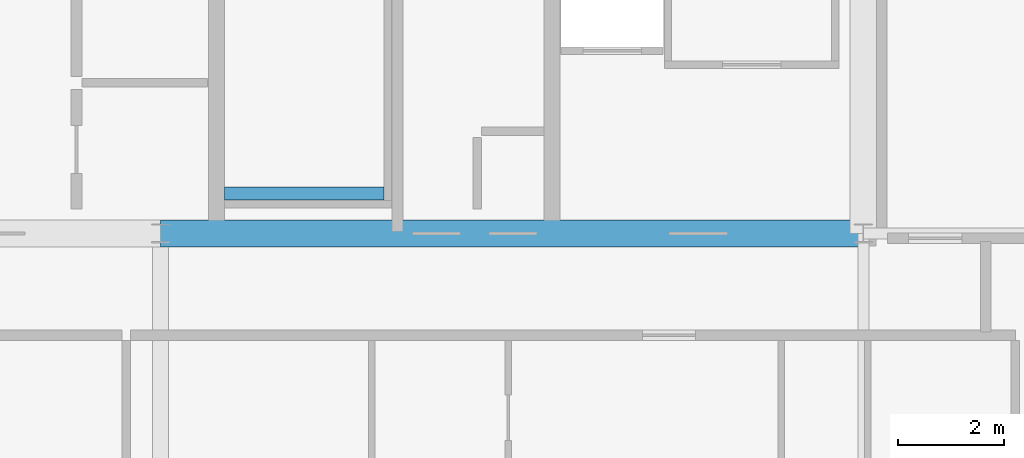
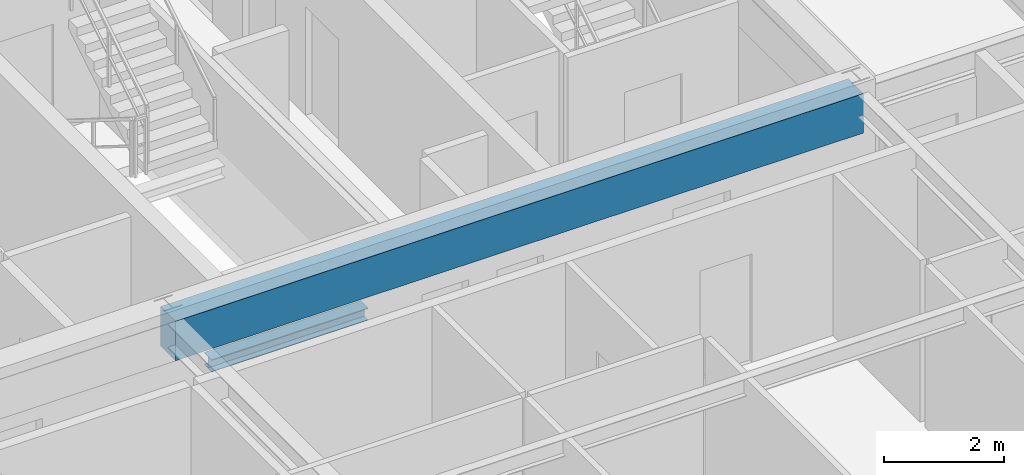
# One storey, part 10 of 35: 2 beams.
"""IFC4 building model written with IfcOpenShell, lengths in metres."""

from ifc_helpers import new_model, si_unit, direction, frame, origin, origin_2d, place, context, subcontext, project, spatial, rectangle, i_section, extrude, source, transform, mapped, material, material_profile, profile_set, type_object, element, save


model = new_model("IFC4")

# Units and contexts
model_context = context("Model", 3, precision=1e-05, world=origin(), true_north=direction((0.0, 1.0)))
body_context = subcontext(model_context, "Body", "Model", "MODEL_VIEW")
ifc_project = project(units=[si_unit("LENGTHUNIT", "METRE"), si_unit("AREAUNIT", "SQUARE_METRE"), si_unit("VOLUMEUNIT", "CUBIC_METRE"), si_unit("PLANEANGLEUNIT", "RADIAN"), si_unit("MASSUNIT", "GRAM", prefix="KILO"), si_unit("THERMODYNAMICTEMPERATUREUNIT", "KELVIN"), si_unit("POWERUNIT", "WATT")], contexts=[model_context])

# Site, building, storey
site_placement = place(None, origin())
site = spatial("IfcSite", under=ifc_project, at=site_placement, CompositionType="ELEMENT")
building_placement = place(site_placement, origin())
building = spatial("IfcBuilding", under=site, at=building_placement, Name="Yuzanri Waterfront Tower", CompositionType="ELEMENT")
storey_placement = place(building_placement, frame((0.0, 0.0, 299.60009765625)))
storey = spatial("IfcBuildingStorey", under=building, at=storey_placement, Name="L80", CompositionType="ELEMENT", Elevation=299.60009765625)

# Beams
ifc_material_1 = material(Name="Concrete C50", Category="concrete")
ifc_material_profile_1 = material_profile(ifc_material_1, rectangle(XDim=0.5, YDim=0.800048828125, at=origin_2d()), Name="RC 500x800")
ifc_profile_set_1 = profile_set([ifc_material_profile_1], Name="Concrete C50")
beam_type_1 = type_object("IfcBeamType", Name="Core Coupling Lintel Concrete C50 500x800", PredefinedType="LINTEL", material=ifc_profile_set_1)
shared_shape_1 = source(origin(), body_context, "Body", "SweptSolid", [
    extrude(rectangle(XDim=0.5, YDim=0.800048828125, at=origin_2d()), origin(), (0.0, 0.0, 1.0), 13.199951171875),
])
beam_1_placement = place(storey_placement, frame((37.0, 19.39990234375, 2.8798828125), z_axis=(1.0, 0.0, 0.0), x_axis=(0.0, 1.0, 0.0)))
element("IfcBeam", 1, at=beam_1_placement, inside=storey, type_object=beam_type_1, Name="L80 Core Tie Beam CS2", PredefinedType="LINTEL", context=body_context, shape_type="MappedRepresentation", body=[
    mapped(shared_shape_1, transform((0.0, 0.0, 0.0), scale=1.0)),
])
ifc_material_2 = material(Name="Steel Q355B", Category="steel")
ifc_material_profile_2 = material_profile(ifc_material_2, i_section(OverallWidth=0.25, OverallDepth=0.25, WebThickness=0.009033203125, FlangeThickness=0.013916015625, at=origin_2d()), Name="HW 250x250x9x14")
ifc_profile_set_2 = profile_set([ifc_material_profile_2], Name="Steel Q355B")
beam_type_2 = type_object("IfcBeamType", Name="Stair Landing Support Beam Q355B HW 250x250", PredefinedType="BEAM", material=ifc_profile_set_2)
shared_shape_2 = source(origin(), body_context, "Body", "SweptSolid", [
    extrude(i_section(OverallWidth=0.25, OverallDepth=0.25, WebThickness=0.009033203125, FlangeThickness=0.013916015625, at=origin_2d()), origin(), (0.0, 0.0, 1.0), 3.0),
])
beam_2_placement = place(storey_placement, frame((38.199951171875, 20.14990234375, 1.4248046875), z_axis=(1.0, 0.0, 0.0), x_axis=(0.0, 1.0, 0.0)))
element("IfcBeam", 2, at=beam_2_placement, inside=storey, type_object=beam_type_2, Name="L80 Stair Landing Support Beam ST-03-L80-L1-1", PredefinedType="BEAM", context=body_context, shape_type="MappedRepresentation", body=[
    mapped(shared_shape_2, transform((0.0, 0.0, 0.0), scale=1.0)),
])

save(model, "model.ifc")
